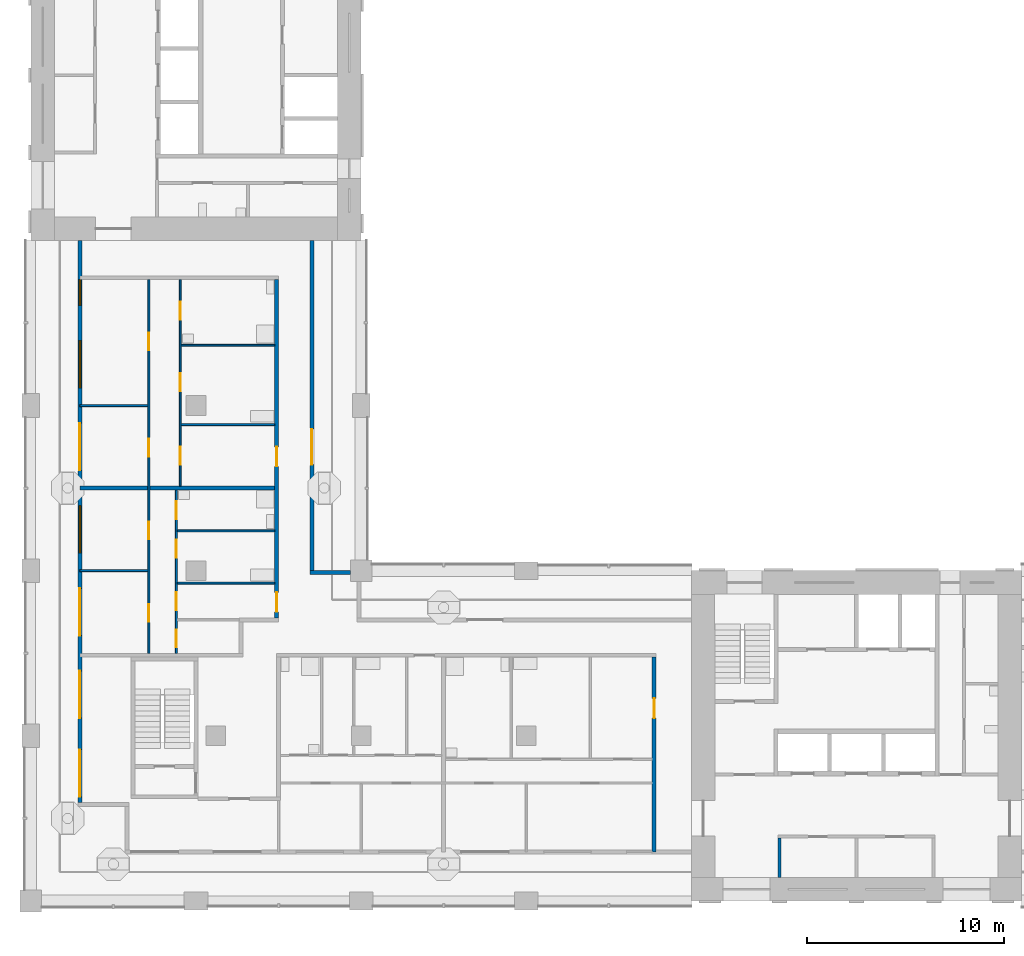
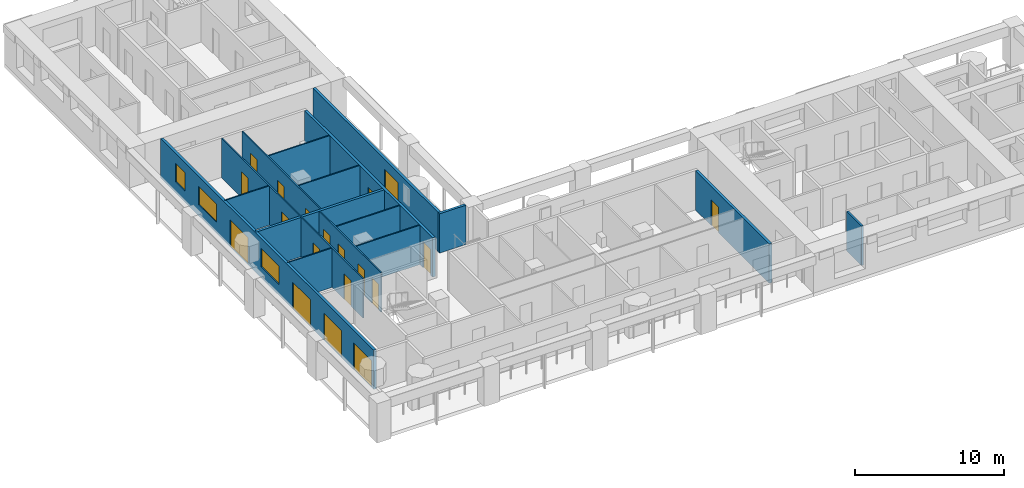
# One storey, part 3 of 13: 19 doors, 16 walls, 3 windows, 22 openings.
"""IFC4 building model written with IfcOpenShell, lengths in metres."""

from ifc_helpers import new_model, si_unit, direction, frame, frame_2d, origin, place, context, subcontext, project, spatial, rectangle, extrude, material, layer, layer_set, type_object, element, fill, save


model = new_model("IFC4")

# Units and contexts
model_context = context("Model", 3, precision=1e-05, world=origin(), true_north=direction((0.0, 1.0)))
body_context = subcontext(model_context, "Body", "Model", "MODEL_VIEW")
ifc_project = project(units=[si_unit("LENGTHUNIT", "METRE"), si_unit("AREAUNIT", "SQUARE_METRE"), si_unit("VOLUMEUNIT", "CUBIC_METRE"), si_unit("PLANEANGLEUNIT", "RADIAN"), si_unit("MASSUNIT", "GRAM", prefix="KILO")], contexts=[model_context])

# Site, building, storey
site_placement = place(None, origin())
site = spatial("IfcSite", under=ifc_project, at=site_placement, CompositionType="ELEMENT")
building_placement = place(site_placement, origin())
building = spatial("IfcBuilding", under=site, at=building_placement, Name="Vermilion Gate Residences", CompositionType="ELEMENT")
storey_placement = place(building_placement, frame((0.0, 0.0, 179.199951171875)))
storey = spatial("IfcBuildingStorey", under=building, at=storey_placement, Name="L46", CompositionType="ELEMENT", Elevation=179.199951171875)

# Wall
ifc_material_1 = material(Name="Masonry blockwork", Category="masonry")
ifc_layer_1 = layer(ifc_material_1, 0.14990234375)
ifc_layer_set_1 = layer_set([ifc_layer_1], Name="BLOCKWORK PARTITION 150 EI 120")
wall_type_1 = type_object("IfcWallType", Name="BLOCKWORK PARTITION 150 EI 120", PredefinedType="PARTITIONING", material=ifc_layer_set_1)
wall_1_placement = place(storey_placement, frame((46.47509765625, 9.60009765625, 0.0), z_axis=(0.0, 0.0, 1.0), x_axis=(0.0, 1.0, 0.0)))
element("IfcWall", 1, at=wall_1_placement, inside=storey, type_object=wall_type_1, Name="Core room partition A46-RW-W", PredefinedType="PARTITIONING", context=body_context, shape_type="SweptSolid", body=[
    extrude(rectangle(XDim=2.0, YDim=0.14990234375, at=frame_2d((1.0, 0.0))), origin(), (0.0, 0.0, 1.0), 3.219970703125),
])

# Wall, openings, doors, windows
ifc_material_2 = material(Name="Insulated steel stud wall with terracotta rainscreen", Category="masonry")
ifc_layer_2 = layer(ifc_material_2, 0.199951171875)
ifc_layer_set_2 = layer_set([ifc_layer_2], Name="EXTERNAL WALL 200 TERRACOTTA RAINSCREEN")
wall_type_2 = type_object("IfcWallType", Name="EXTERNAL WALL 200 TERRACOTTA RAINSCREEN", PredefinedType="SOLIDWALL", material=ifc_layer_set_2)
wall_2_placement = place(storey_placement, frame((10.89990234375, 42.0, 0.0), z_axis=(0.0, 0.0, 1.0), x_axis=(0.0, -1.0, 0.0)))
wall_2 = element("IfcWall", 2, at=wall_2_placement, inside=storey, type_object=wall_type_2, Name="External wall", PredefinedType="SOLIDWALL", context=body_context, shape_type="SweptSolid", body=[
    extrude(rectangle(XDim=28.60009765625, YDim=0.199951171875, at=frame_2d((14.300048828125, 0.0))), origin(), (0.0, 0.0, 1.0), 3.219970703125),
])
opening_1_placement = place(wall_2_placement, frame((25.89990234375, 0.0, 0.0)))
opening_1 = element("IfcOpeningElement", 3, at=opening_1_placement, cuts=wall_2, Name="Opening DE46001", PredefinedType="OPENING", context=body_context, shape_type="SweptSolid", body=[
    extrude(rectangle(XDim=2.39990234375, YDim=2.199951171875, at=frame_2d((1.199951171875, 1.10009765625))), frame((0.0, 0.10986328125, 0.0), z_axis=(0.0, -1.0, 0.0), x_axis=(1.0, 0.0, 0.0)), (0.0, 0.0, 1.0), 0.219970703125),
])
opening_2_placement = place(wall_2_placement, frame((21.89990234375, 0.0, 0.0)))
opening_2 = element("IfcOpeningElement", 4, at=opening_2_placement, cuts=wall_2, Name="Opening DE46002", PredefinedType="OPENING", context=body_context, shape_type="SweptSolid", body=[
    extrude(rectangle(XDim=2.39990234375, YDim=2.199951171875, at=frame_2d((1.199951171875, 1.10009765625))), frame((0.0, 0.10986328125, 0.0), z_axis=(0.0, -1.0, 0.0), x_axis=(1.0, 0.0, 0.0)), (0.0, 0.0, 1.0), 0.219970703125),
])
opening_3_placement = place(wall_2_placement, frame((17.699951171875, 0.0, 0.0)))
opening_3 = element("IfcOpeningElement", 5, at=opening_3_placement, cuts=wall_2, Name="Opening DE46003", PredefinedType="OPENING", context=body_context, shape_type="SweptSolid", body=[
    extrude(rectangle(XDim=2.39990234375, YDim=2.199951171875, at=frame_2d((1.199951171875, 1.10009765625))), frame((0.0, 0.10986328125, 0.0), z_axis=(0.0, -1.0, 0.0), x_axis=(1.0, 0.0, 0.0)), (0.0, 0.0, 1.0), 0.219970703125),
])
opening_4_placement = place(wall_2_placement, frame((13.5, 0.0, 0.89990234375)))
opening_4 = element("IfcOpeningElement", 6, at=opening_4_placement, cuts=wall_2, Name="Opening WE46004", PredefinedType="OPENING", context=body_context, shape_type="SweptSolid", body=[
    extrude(rectangle(XDim=2.39990234375, YDim=1.5, at=frame_2d((1.199951171875, 0.75))), frame((0.0, 0.10986328125, 0.0), z_axis=(0.0, -1.0, 0.0), x_axis=(1.0, 0.0, 0.0)), (0.0, 0.0, 1.0), 0.219970703125),
])
opening_5_placement = place(wall_2_placement, frame((9.300048828125, 0.0, 0.0)))
opening_5 = element("IfcOpeningElement", 7, at=opening_5_placement, cuts=wall_2, Name="Opening DE46005", PredefinedType="OPENING", context=body_context, shape_type="SweptSolid", body=[
    extrude(rectangle(XDim=2.39990234375, YDim=2.199951171875, at=frame_2d((1.199951171875, 1.10009765625))), frame((0.0, 0.10986328125, 0.0), z_axis=(0.0, -1.0, 0.0), x_axis=(1.0, 0.0, 0.0)), (0.0, 0.0, 1.0), 0.219970703125),
])
opening_6_placement = place(wall_2_placement, frame((5.10009765625, 0.0, 0.89990234375)))
opening_6 = element("IfcOpeningElement", 8, at=opening_6_placement, cuts=wall_2, Name="Opening WE46006", PredefinedType="OPENING", context=body_context, shape_type="SweptSolid", body=[
    extrude(rectangle(XDim=2.39990234375, YDim=1.5, at=frame_2d((1.199951171875, 0.75))), frame((0.0, 0.10986328125, 0.0), z_axis=(0.0, -1.0, 0.0), x_axis=(1.0, 0.0, 0.0)), (0.0, 0.0, 1.0), 0.219970703125),
])
opening_7_placement = place(wall_2_placement, frame((2.0, 0.0, 0.89990234375)))
opening_7 = element("IfcOpeningElement", 9, at=opening_7_placement, cuts=wall_2, Name="Opening WE46007", PredefinedType="OPENING", context=body_context, shape_type="SweptSolid", body=[
    extrude(rectangle(XDim=1.300048828125, YDim=1.5, at=frame_2d((0.64990234375, 0.75))), frame((0.0, 0.10986328125, 0.0), z_axis=(0.0, -1.0, 0.0), x_axis=(1.0, 0.0, 0.0)), (0.0, 0.0, 1.0), 0.219970703125),
])
ifc_material_3 = material(Name="Aluminium and clear glass", Category="aluminium")
door_type_1 = type_object("IfcDoorType", Name="SLIDING GLAZED DOOR 2400 X 2200", OperationType="DOUBLE_DOOR_SLIDING", PredefinedType="DOOR", material=ifc_material_3)
door_1_placement = place(opening_1_placement, origin())
door_1 = element("IfcDoor", 10, at=door_1_placement, inside=storey, type_object=door_type_1, Name="Loggia sliding door", OperationType="DOUBLE_DOOR_SLIDING", OverallHeight=2.199951171875, OverallWidth=2.39990234375, PredefinedType="DOOR", context=body_context, shape_type="SweptSolid", body=[
    extrude(rectangle(XDim=2.39990234375, YDim=2.199951171875, at=frame_2d((1.199951171875, 1.10009765625))), frame((0.0, 0.02490234375, 0.0), z_axis=(0.0, -1.0, 0.0), x_axis=(1.0, 0.0, 0.0)), (0.0, 0.0, 1.0), 0.050048828125),
])
fill(opening_1, door_1)
door_2_placement = place(opening_2_placement, origin())
door_2 = element("IfcDoor", 11, at=door_2_placement, inside=storey, type_object=door_type_1, Name="Loggia sliding door", OperationType="DOUBLE_DOOR_SLIDING", OverallHeight=2.199951171875, OverallWidth=2.39990234375, PredefinedType="DOOR", context=body_context, shape_type="SweptSolid", body=[
    extrude(rectangle(XDim=2.39990234375, YDim=2.199951171875, at=frame_2d((1.199951171875, 1.10009765625))), frame((0.0, 0.02490234375, 0.0), z_axis=(0.0, -1.0, 0.0), x_axis=(1.0, 0.0, 0.0)), (0.0, 0.0, 1.0), 0.050048828125),
])
fill(opening_2, door_2)
door_3_placement = place(opening_3_placement, origin())
door_3 = element("IfcDoor", 12, at=door_3_placement, inside=storey, type_object=door_type_1, Name="Loggia sliding door", OperationType="DOUBLE_DOOR_SLIDING", OverallHeight=2.199951171875, OverallWidth=2.39990234375, PredefinedType="DOOR", context=body_context, shape_type="SweptSolid", body=[
    extrude(rectangle(XDim=2.39990234375, YDim=2.199951171875, at=frame_2d((1.199951171875, 1.10009765625))), frame((0.0, 0.02490234375, 0.0), z_axis=(0.0, -1.0, 0.0), x_axis=(1.0, 0.0, 0.0)), (0.0, 0.0, 1.0), 0.050048828125),
])
fill(opening_3, door_3)
door_4_placement = place(opening_5_placement, origin())
door_4 = element("IfcDoor", 13, at=door_4_placement, inside=storey, type_object=door_type_1, Name="Loggia sliding door", OperationType="DOUBLE_DOOR_SLIDING", OverallHeight=2.199951171875, OverallWidth=2.39990234375, PredefinedType="DOOR", context=body_context, shape_type="SweptSolid", body=[
    extrude(rectangle(XDim=2.39990234375, YDim=2.199951171875, at=frame_2d((1.199951171875, 1.10009765625))), frame((0.0, 0.02490234375, 0.0), z_axis=(0.0, -1.0, 0.0), x_axis=(1.0, 0.0, 0.0)), (0.0, 0.0, 1.0), 0.050048828125),
])
fill(opening_5, door_4)
ifc_material_4 = material(Name="Aluminium and clear glass", Category="aluminium")
window_type_1 = type_object("IfcWindowType", Name="WINDOW 1300 X 1500", PartitioningType="SINGLE_PANEL", PredefinedType="WINDOW", material=ifc_material_4)
window_1_placement = place(opening_7_placement, origin())
window_1 = element("IfcWindow", 14, at=window_1_placement, inside=storey, type_object=window_type_1, Name="Window", OverallHeight=1.5, OverallWidth=1.300048828125, PartitioningType="SINGLE_PANEL", PredefinedType="WINDOW", context=body_context, shape_type="SweptSolid", body=[
    extrude(rectangle(XDim=1.300048828125, YDim=1.5, at=frame_2d((0.64990234375, 0.75))), frame((0.0, 0.030029296875, 0.0), z_axis=(0.0, -1.0, 0.0), x_axis=(1.0, 0.0, 0.0)), (0.0, 0.0, 1.0), 0.06005859375),
])
fill(opening_7, window_1)
ifc_material_5 = material(Name="Aluminium and clear glass", Category="aluminium")
window_type_2 = type_object("IfcWindowType", Name="WINDOW 2400 X 1500", PartitioningType="SINGLE_PANEL", PredefinedType="WINDOW", material=ifc_material_5)
window_2_placement = place(opening_4_placement, origin())
window_2 = element("IfcWindow", 15, at=window_2_placement, inside=storey, type_object=window_type_2, Name="Window", OverallHeight=1.5, OverallWidth=2.39990234375, PartitioningType="SINGLE_PANEL", PredefinedType="WINDOW", context=body_context, shape_type="SweptSolid", body=[
    extrude(rectangle(XDim=2.39990234375, YDim=1.5, at=frame_2d((1.199951171875, 0.75))), frame((0.0, 0.030029296875, 0.0), z_axis=(0.0, -1.0, 0.0), x_axis=(1.0, 0.0, 0.0)), (0.0, 0.0, 1.0), 0.06005859375),
])
fill(opening_4, window_2)
window_3_placement = place(opening_6_placement, origin())
window_3 = element("IfcWindow", 16, at=window_3_placement, inside=storey, type_object=window_type_2, Name="Window", OverallHeight=1.5, OverallWidth=2.39990234375, PartitioningType="SINGLE_PANEL", PredefinedType="WINDOW", context=body_context, shape_type="SweptSolid", body=[
    extrude(rectangle(XDim=2.39990234375, YDim=1.5, at=frame_2d((1.199951171875, 0.75))), frame((0.0, 0.030029296875, 0.0), z_axis=(0.0, -1.0, 0.0), x_axis=(1.0, 0.0, 0.0)), (0.0, 0.0, 1.0), 0.06005859375),
])
fill(opening_6, window_3)

# Wall
wall_3_placement = place(storey_placement, frame((24.64990234375, 25.10009765625, 0.0), z_axis=(0.0, 0.0, 1.0), x_axis=(-1.0, 0.0, 0.0)))
element("IfcWall", 17, at=wall_3_placement, inside=storey, type_object=wall_type_2, Name="External wall", PredefinedType="SOLIDWALL", context=body_context, shape_type="SweptSolid", body=[
    extrude(rectangle(XDim=2.0498046875, YDim=0.199951171875, at=frame_2d((1.02490234375, 0.0))), origin(), (0.0, 0.0, 1.0), 3.219970703125),
])

# Wall, opening, door
wall_4_placement = place(storey_placement, frame((22.699951171875, 25.199951171875, 0.0), z_axis=(0.0, 0.0, 1.0), x_axis=(0.0, 1.0, 0.0)))
wall_4 = element("IfcWall", 18, at=wall_4_placement, inside=storey, type_object=wall_type_2, Name="External wall", PredefinedType="SOLIDWALL", context=body_context, shape_type="SweptSolid", body=[
    extrude(rectangle(XDim=16.800048828125, YDim=0.199951171875, at=frame_2d((8.39990234375, 0.0))), origin(), (0.0, 0.0, 1.0), 3.219970703125),
])
opening_8_placement = place(wall_4_placement, frame((5.39990234375, 0.0, 0.0)))
opening_8 = element("IfcOpeningElement", 19, at=opening_8_placement, cuts=wall_4, Name="Opening DE46021", PredefinedType="OPENING", context=body_context, shape_type="SweptSolid", body=[
    extrude(rectangle(XDim=1.800048828125, YDim=2.39990234375, at=frame_2d((0.89990234375, 1.199951171875))), frame((0.0, 0.10986328125, 0.0), z_axis=(0.0, -1.0, 0.0), x_axis=(1.0, 0.0, 0.0)), (0.0, 0.0, 1.0), 0.219970703125),
])
ifc_material_6 = material(Name="Aluminium and clear glass", Category="aluminium")
door_type_2 = type_object("IfcDoorType", Name="GLAZED EXTERNAL DOOR 1800 X 2400", OperationType="DOUBLE_DOOR_SINGLE_SWING", PredefinedType="DOOR", material=ifc_material_6)
door_5_placement = place(opening_8_placement, frame((1.800048828125, 0.0, 0.0), z_axis=(0.0, 0.0, 1.0), x_axis=(-1.0, 0.0, 0.0)))
door_5 = element("IfcDoor", 20, at=door_5_placement, inside=storey, type_object=door_type_2, Name="Gallery door", OperationType="DOUBLE_DOOR_SINGLE_SWING", OverallHeight=2.39990234375, OverallWidth=1.800048828125, PredefinedType="DOOR", context=body_context, shape_type="SweptSolid", body=[
    extrude(rectangle(XDim=1.800048828125, YDim=2.39990234375, at=frame_2d((0.89990234375, 1.199951171875))), frame((0.0, 0.02490234375, 0.0), z_axis=(0.0, -1.0, 0.0), x_axis=(1.0, 0.0, 0.0)), (0.0, 0.0, 1.0), 0.050048828125),
])
fill(opening_8, door_5)

# Walls
ifc_material_7 = material(Name="Plasterboard on steel studs", Category="steel")
ifc_layer_3 = layer(ifc_material_7, 0.10009765625)
ifc_layer_set_3 = layer_set([ifc_layer_3], Name="PARTITION 100")
wall_type_3 = type_object("IfcWallType", Name="PARTITION 100", PredefinedType="PARTITIONING", material=ifc_layer_set_3)
wall_5_placement = place(storey_placement, frame((15.85009765625, 24.56298828125, 0.0), z_axis=(0.0, 0.0, 1.0), x_axis=(1.0, 0.0, 0.0)))
element("IfcWall", 21, at=wall_5_placement, inside=storey, type_object=wall_type_3, Name="Partition", PredefinedType="PARTITIONING", context=body_context, shape_type="SweptSolid", body=[
    extrude(rectangle(XDim=4.949951171875, YDim=0.10009765625, at=frame_2d((2.47509765625, 0.0))), origin(), (0.0, 0.0, 1.0), 3.219970703125),
])
wall_6_placement = place(storey_placement, frame((10.89990234375, 25.199951171875, 0.0), z_axis=(0.0, 0.0, 1.0), x_axis=(1.0, 0.0, 0.0)))
element("IfcWall", 22, at=wall_6_placement, inside=storey, type_object=wall_type_3, Name="Partition", PredefinedType="PARTITIONING", context=body_context, shape_type="SweptSolid", body=[
    extrude(rectangle(XDim=3.4501953125, YDim=0.10009765625, at=frame_2d((1.72509765625, 0.0))), origin(), (0.0, 0.0, 1.0), 3.219970703125),
])
wall_7_placement = place(storey_placement, frame((15.85009765625, 27.22509765625, 0.0), z_axis=(0.0, 0.0, 1.0), x_axis=(1.0, 0.0, 0.0)))
element("IfcWall", 23, at=wall_7_placement, inside=storey, type_object=wall_type_3, Name="Partition", PredefinedType="PARTITIONING", context=body_context, shape_type="SweptSolid", body=[
    extrude(rectangle(XDim=4.949951171875, YDim=0.10009765625, at=frame_2d((2.47509765625, 0.0))), origin(), (0.0, 0.0, 1.0), 3.219970703125),
])
wall_8_placement = place(storey_placement, frame((16.050048828125, 32.633056640625, 0.0), z_axis=(0.0, 0.0, 1.0), x_axis=(1.0, 0.0, 0.0)))
element("IfcWall", 24, at=wall_8_placement, inside=storey, type_object=wall_type_3, Name="Partition", PredefinedType="PARTITIONING", context=body_context, shape_type="SweptSolid", body=[
    extrude(rectangle(XDim=4.75, YDim=0.10009765625, at=frame_2d((2.375, 0.0))), origin(), (0.0, 0.0, 1.0), 3.219970703125),
])
wall_9_placement = place(storey_placement, frame((10.89990234375, 33.60009765625, 0.0), z_axis=(0.0, 0.0, 1.0), x_axis=(1.0, 0.0, 0.0)))
element("IfcWall", 25, at=wall_9_placement, inside=storey, type_object=wall_type_3, Name="Partition", PredefinedType="PARTITIONING", context=body_context, shape_type="SweptSolid", body=[
    extrude(rectangle(XDim=3.4501953125, YDim=0.10009765625, at=frame_2d((1.72509765625, 0.0))), origin(), (0.0, 0.0, 1.0), 3.219970703125),
])
wall_10_placement = place(storey_placement, frame((16.050048828125, 36.6669921875, 0.0), z_axis=(0.0, 0.0, 1.0), x_axis=(1.0, 0.0, 0.0)))
element("IfcWall", 26, at=wall_10_placement, inside=storey, type_object=wall_type_3, Name="Partition", PredefinedType="PARTITIONING", context=body_context, shape_type="SweptSolid", body=[
    extrude(rectangle(XDim=4.75, YDim=0.10009765625, at=frame_2d((2.375, 0.0))), origin(), (0.0, 0.0, 1.0), 3.219970703125),
])

# Wall, openings, doors
wall_11_placement = place(storey_placement, frame((14.39990234375, 21.0, 0.0), z_axis=(0.0, 0.0, 1.0), x_axis=(0.0, 1.0, 0.0)))
wall_11 = element("IfcWall", 27, at=wall_11_placement, inside=storey, type_object=wall_type_3, Name="Partition", PredefinedType="PARTITIONING", context=body_context, shape_type="SweptSolid", body=[
    extrude(rectangle(XDim=19.0, YDim=0.10009765625, at=frame_2d((9.5, 0.0))), origin(), (0.0, 0.0, 1.0), 3.219970703125),
])
opening_9_placement = place(wall_11_placement, frame((1.60009765625, 0.0, 0.0)))
opening_9 = element("IfcOpeningElement", 28, at=opening_9_placement, cuts=wall_11, Name="Opening DA46014", PredefinedType="OPENING", context=body_context, shape_type="SweptSolid", body=[
    extrude(rectangle(XDim=0.89990234375, YDim=2.10009765625, at=frame_2d((0.449951171875, 1.050048828125))), frame((0.0, 0.06005859375, 0.0), z_axis=(0.0, -1.0, 0.0), x_axis=(1.0, 0.0, 0.0)), (0.0, 0.0, 1.0), 0.1201171875),
])
opening_10_placement = place(wall_11_placement, frame((5.800048828125, 0.0, 0.0)))
opening_10 = element("IfcOpeningElement", 29, at=opening_10_placement, cuts=wall_11, Name="Opening DA46015", PredefinedType="OPENING", context=body_context, shape_type="SweptSolid", body=[
    extrude(rectangle(XDim=0.89990234375, YDim=2.10009765625, at=frame_2d((0.449951171875, 1.050048828125))), frame((0.0, 0.06005859375, 0.0), z_axis=(0.0, -1.0, 0.0), x_axis=(1.0, 0.0, 0.0)), (0.0, 0.0, 1.0), 0.1201171875),
])
opening_11_placement = place(wall_11_placement, frame((10.0, 0.0, 0.0)))
opening_11 = element("IfcOpeningElement", 30, at=opening_11_placement, cuts=wall_11, Name="Opening DA46016", PredefinedType="OPENING", context=body_context, shape_type="SweptSolid", body=[
    extrude(rectangle(XDim=0.89990234375, YDim=2.10009765625, at=frame_2d((0.449951171875, 1.050048828125))), frame((0.0, 0.06005859375, 0.0), z_axis=(0.0, -1.0, 0.0), x_axis=(1.0, 0.0, 0.0)), (0.0, 0.0, 1.0), 0.1201171875),
])
opening_12_placement = place(wall_11_placement, frame((15.39990234375, 0.0, 0.0)))
opening_12 = element("IfcOpeningElement", 31, at=opening_12_placement, cuts=wall_11, Name="Opening DA46017", PredefinedType="OPENING", context=body_context, shape_type="SweptSolid", body=[
    extrude(rectangle(XDim=0.89990234375, YDim=2.10009765625, at=frame_2d((0.449951171875, 1.050048828125))), frame((0.0, 0.06005859375, 0.0), z_axis=(0.0, -1.0, 0.0), x_axis=(1.0, 0.0, 0.0)), (0.0, 0.0, 1.0), 0.1201171875),
])
ifc_material_8 = material(Name="Timber", Category="wood")
door_type_3 = type_object("IfcDoorType", Name="INTERIOR DOOR 900 X 2100", OperationType="SINGLE_SWING_LEFT", PredefinedType="DOOR", material=ifc_material_8)
door_6_placement = place(opening_9_placement, origin())
door_6 = element("IfcDoor", 32, at=door_6_placement, inside=storey, type_object=door_type_3, Name="Interior door", OperationType="SINGLE_SWING_LEFT", OverallHeight=2.10009765625, OverallWidth=0.89990234375, PredefinedType="DOOR", context=body_context, shape_type="SweptSolid", body=[
    extrude(rectangle(XDim=0.89990234375, YDim=2.10009765625, at=frame_2d((0.449951171875, 1.050048828125))), frame((0.0, 0.02490234375, 0.0), z_axis=(0.0, -1.0, 0.0), x_axis=(1.0, 0.0, 0.0)), (0.0, 0.0, 1.0), 0.050048828125),
])
fill(opening_9, door_6)
door_7_placement = place(opening_10_placement, origin())
door_7 = element("IfcDoor", 33, at=door_7_placement, inside=storey, type_object=door_type_3, Name="Interior door", OperationType="SINGLE_SWING_LEFT", OverallHeight=2.10009765625, OverallWidth=0.89990234375, PredefinedType="DOOR", context=body_context, shape_type="SweptSolid", body=[
    extrude(rectangle(XDim=0.89990234375, YDim=2.10009765625, at=frame_2d((0.449951171875, 1.050048828125))), frame((0.0, 0.02490234375, 0.0), z_axis=(0.0, -1.0, 0.0), x_axis=(1.0, 0.0, 0.0)), (0.0, 0.0, 1.0), 0.050048828125),
])
fill(opening_10, door_7)
door_8_placement = place(opening_11_placement, origin())
door_8 = element("IfcDoor", 34, at=door_8_placement, inside=storey, type_object=door_type_3, Name="Interior door", OperationType="SINGLE_SWING_LEFT", OverallHeight=2.10009765625, OverallWidth=0.89990234375, PredefinedType="DOOR", context=body_context, shape_type="SweptSolid", body=[
    extrude(rectangle(XDim=0.89990234375, YDim=2.10009765625, at=frame_2d((0.449951171875, 1.050048828125))), frame((0.0, 0.02490234375, 0.0), z_axis=(0.0, -1.0, 0.0), x_axis=(1.0, 0.0, 0.0)), (0.0, 0.0, 1.0), 0.050048828125),
])
fill(opening_11, door_8)
door_9_placement = place(opening_12_placement, origin())
door_9 = element("IfcDoor", 35, at=door_9_placement, inside=storey, type_object=door_type_3, Name="Interior door", OperationType="SINGLE_SWING_RIGHT", OverallHeight=2.10009765625, OverallWidth=0.89990234375, PredefinedType="DOOR", context=body_context, shape_type="SweptSolid", body=[
    extrude(rectangle(XDim=0.89990234375, YDim=2.10009765625, at=frame_2d((0.449951171875, 1.050048828125))), frame((0.0, 0.02490234375, 0.0), z_axis=(0.0, -1.0, 0.0), x_axis=(1.0, 0.0, 0.0)), (0.0, 0.0, 1.0), 0.050048828125),
])
fill(opening_12, door_9)

wall_12_placement = place(storey_placement, frame((15.800048828125, 21.0, 0.0), z_axis=(0.0, 0.0, 1.0), x_axis=(0.0, 1.0, 0.0)))
wall_12 = element("IfcWall", 36, at=wall_12_placement, inside=storey, type_object=wall_type_3, Name="Partition", PredefinedType="PARTITIONING", context=body_context, shape_type="SweptSolid", body=[
    extrude(rectangle(XDim=8.300048828125, YDim=0.10009765625, at=frame_2d((4.14990234375, 0.0))), origin(), (0.0, 0.0, 1.0), 3.219970703125),
])
opening_13_placement = place(wall_12_placement, frame((2.199951171875, 0.0, 0.0)))
opening_13 = element("IfcOpeningElement", 37, at=opening_13_placement, cuts=wall_12, Name="Opening DA46018", PredefinedType="OPENING", context=body_context, shape_type="SweptSolid", body=[
    extrude(rectangle(XDim=0.89990234375, YDim=2.10009765625, at=frame_2d((0.449951171875, 1.050048828125))), frame((0.0, 0.06005859375, 0.0), z_axis=(0.0, -1.0, 0.0), x_axis=(1.0, 0.0, 0.0)), (0.0, 0.0, 1.0), 0.1201171875),
])
opening_14_placement = place(wall_12_placement, frame((0.300048828125, 0.0, 0.0)))
opening_14 = element("IfcOpeningElement", 38, at=opening_14_placement, cuts=wall_12, Name="Opening DA46019", PredefinedType="OPENING", context=body_context, shape_type="SweptSolid", body=[
    extrude(rectangle(XDim=0.89990234375, YDim=2.10009765625, at=frame_2d((0.449951171875, 1.050048828125))), frame((0.0, 0.06005859375, 0.0), z_axis=(0.0, -1.0, 0.0), x_axis=(1.0, 0.0, 0.0)), (0.0, 0.0, 1.0), 0.1201171875),
])
opening_15_placement = place(wall_12_placement, frame((4.863037109375, 0.0, 0.0)))
opening_15 = element("IfcOpeningElement", 39, at=opening_15_placement, cuts=wall_12, Name="Opening DA46020", PredefinedType="OPENING", context=body_context, shape_type="SweptSolid", body=[
    extrude(rectangle(XDim=0.89990234375, YDim=2.10009765625, at=frame_2d((0.449951171875, 1.050048828125))), frame((0.0, 0.06005859375, 0.0), z_axis=(0.0, -1.0, 0.0), x_axis=(1.0, 0.0, 0.0)), (0.0, 0.0, 1.0), 0.1201171875),
])
opening_16_placement = place(wall_12_placement, frame((6.824951171875, 0.0, 0.0)))
opening_16 = element("IfcOpeningElement", 40, at=opening_16_placement, cuts=wall_12, Name="Opening DA46021", PredefinedType="OPENING", context=body_context, shape_type="SweptSolid", body=[
    extrude(rectangle(XDim=0.89990234375, YDim=2.10009765625, at=frame_2d((0.449951171875, 1.050048828125))), frame((0.0, 0.06005859375, 0.0), z_axis=(0.0, -1.0, 0.0), x_axis=(1.0, 0.0, 0.0)), (0.0, 0.0, 1.0), 0.1201171875),
])
door_10_placement = place(opening_13_placement, frame((0.89990234375, 0.0, 0.0), z_axis=(0.0, 0.0, 1.0), x_axis=(-1.0, 0.0, 0.0)))
door_10 = element("IfcDoor", 41, at=door_10_placement, inside=storey, type_object=door_type_3, Name="Interior door", OperationType="SINGLE_SWING_LEFT", OverallHeight=2.10009765625, OverallWidth=0.89990234375, PredefinedType="DOOR", context=body_context, shape_type="SweptSolid", body=[
    extrude(rectangle(XDim=0.89990234375, YDim=2.10009765625, at=frame_2d((0.449951171875, 1.050048828125))), frame((0.0, 0.02490234375, 0.0), z_axis=(0.0, -1.0, 0.0), x_axis=(1.0, 0.0, 0.0)), (0.0, 0.0, 1.0), 0.050048828125),
])
fill(opening_13, door_10)
door_11_placement = place(opening_14_placement, frame((0.89990234375, 0.0, 0.0), z_axis=(0.0, 0.0, 1.0), x_axis=(-1.0, 0.0, 0.0)))
door_11 = element("IfcDoor", 42, at=door_11_placement, inside=storey, type_object=door_type_3, Name="Interior door", OperationType="SINGLE_SWING_RIGHT", OverallHeight=2.10009765625, OverallWidth=0.89990234375, PredefinedType="DOOR", context=body_context, shape_type="SweptSolid", body=[
    extrude(rectangle(XDim=0.89990234375, YDim=2.10009765625, at=frame_2d((0.449951171875, 1.050048828125))), frame((0.0, 0.02490234375, 0.0), z_axis=(0.0, -1.0, 0.0), x_axis=(1.0, 0.0, 0.0)), (0.0, 0.0, 1.0), 0.050048828125),
])
fill(opening_14, door_11)
door_12_placement = place(opening_15_placement, frame((0.89990234375, 0.0, 0.0), z_axis=(0.0, 0.0, 1.0), x_axis=(-1.0, 0.0, 0.0)))
door_12 = element("IfcDoor", 43, at=door_12_placement, inside=storey, type_object=door_type_3, Name="Interior door", OperationType="SINGLE_SWING_LEFT", OverallHeight=2.10009765625, OverallWidth=0.89990234375, PredefinedType="DOOR", context=body_context, shape_type="SweptSolid", body=[
    extrude(rectangle(XDim=0.89990234375, YDim=2.10009765625, at=frame_2d((0.449951171875, 1.050048828125))), frame((0.0, 0.02490234375, 0.0), z_axis=(0.0, -1.0, 0.0), x_axis=(1.0, 0.0, 0.0)), (0.0, 0.0, 1.0), 0.050048828125),
])
fill(opening_15, door_12)
door_13_placement = place(opening_16_placement, frame((0.89990234375, 0.0, 0.0), z_axis=(0.0, 0.0, 1.0), x_axis=(-1.0, 0.0, 0.0)))
door_13 = element("IfcDoor", 44, at=door_13_placement, inside=storey, type_object=door_type_3, Name="Interior door", OperationType="SINGLE_SWING_LEFT", OverallHeight=2.10009765625, OverallWidth=0.89990234375, PredefinedType="DOOR", context=body_context, shape_type="SweptSolid", body=[
    extrude(rectangle(XDim=0.89990234375, YDim=2.10009765625, at=frame_2d((0.449951171875, 1.050048828125))), frame((0.0, 0.02490234375, 0.0), z_axis=(0.0, -1.0, 0.0), x_axis=(1.0, 0.0, 0.0)), (0.0, 0.0, 1.0), 0.050048828125),
])
fill(opening_16, door_13)

wall_13_placement = place(storey_placement, frame((16.0, 29.5, 0.0), z_axis=(0.0, 0.0, 1.0), x_axis=(0.0, 1.0, 0.0)))
wall_13 = element("IfcWall", 45, at=wall_13_placement, inside=storey, type_object=wall_type_3, Name="Partition", PredefinedType="PARTITIONING", context=body_context, shape_type="SweptSolid", body=[
    extrude(rectangle(XDim=10.5, YDim=0.10009765625, at=frame_2d((5.25, 0.0))), origin(), (0.0, 0.0, 1.0), 3.219970703125),
])
opening_17_placement = place(wall_13_placement, frame((1.10009765625, 0.0, 0.0)))
opening_17 = element("IfcOpeningElement", 46, at=opening_17_placement, cuts=wall_13, Name="Opening DA46022", PredefinedType="OPENING", context=body_context, shape_type="SweptSolid", body=[
    extrude(rectangle(XDim=0.89990234375, YDim=2.10009765625, at=frame_2d((0.449951171875, 1.050048828125))), frame((0.0, 0.06005859375, 0.0), z_axis=(0.0, -1.0, 0.0), x_axis=(1.0, 0.0, 0.0)), (0.0, 0.0, 1.0), 0.1201171875),
])
opening_18_placement = place(wall_13_placement, frame((4.8330078125, 0.0, 0.0)))
opening_18 = element("IfcOpeningElement", 47, at=opening_18_placement, cuts=wall_13, Name="Opening DA46023", PredefinedType="OPENING", context=body_context, shape_type="SweptSolid", body=[
    extrude(rectangle(XDim=0.89990234375, YDim=2.10009765625, at=frame_2d((0.449951171875, 1.050048828125))), frame((0.0, 0.06005859375, 0.0), z_axis=(0.0, -1.0, 0.0), x_axis=(1.0, 0.0, 0.0)), (0.0, 0.0, 1.0), 0.1201171875),
])
opening_19_placement = place(wall_13_placement, frame((8.467041015625, 0.0, 0.0)))
opening_19 = element("IfcOpeningElement", 48, at=opening_19_placement, cuts=wall_13, Name="Opening DA46024", PredefinedType="OPENING", context=body_context, shape_type="SweptSolid", body=[
    extrude(rectangle(XDim=0.89990234375, YDim=2.10009765625, at=frame_2d((0.449951171875, 1.050048828125))), frame((0.0, 0.06005859375, 0.0), z_axis=(0.0, -1.0, 0.0), x_axis=(1.0, 0.0, 0.0)), (0.0, 0.0, 1.0), 0.1201171875),
])
door_14_placement = place(opening_17_placement, frame((0.89990234375, 0.0, 0.0), z_axis=(0.0, 0.0, 1.0), x_axis=(-1.0, 0.0, 0.0)))
door_14 = element("IfcDoor", 49, at=door_14_placement, inside=storey, type_object=door_type_3, Name="Interior door", OperationType="SINGLE_SWING_LEFT", OverallHeight=2.10009765625, OverallWidth=0.89990234375, PredefinedType="DOOR", context=body_context, shape_type="SweptSolid", body=[
    extrude(rectangle(XDim=0.89990234375, YDim=2.10009765625, at=frame_2d((0.449951171875, 1.050048828125))), frame((0.0, 0.02490234375, 0.0), z_axis=(0.0, -1.0, 0.0), x_axis=(1.0, 0.0, 0.0)), (0.0, 0.0, 1.0), 0.050048828125),
])
fill(opening_17, door_14)
door_15_placement = place(opening_18_placement, frame((0.89990234375, 0.0, 0.0), z_axis=(0.0, 0.0, 1.0), x_axis=(-1.0, 0.0, 0.0)))
door_15 = element("IfcDoor", 50, at=door_15_placement, inside=storey, type_object=door_type_3, Name="Interior door", OperationType="SINGLE_SWING_LEFT", OverallHeight=2.10009765625, OverallWidth=0.89990234375, PredefinedType="DOOR", context=body_context, shape_type="SweptSolid", body=[
    extrude(rectangle(XDim=0.89990234375, YDim=2.10009765625, at=frame_2d((0.449951171875, 1.050048828125))), frame((0.0, 0.02490234375, 0.0), z_axis=(0.0, -1.0, 0.0), x_axis=(1.0, 0.0, 0.0)), (0.0, 0.0, 1.0), 0.050048828125),
])
fill(opening_18, door_15)
door_16_placement = place(opening_19_placement, frame((0.89990234375, 0.0, 0.0), z_axis=(0.0, 0.0, 1.0), x_axis=(-1.0, 0.0, 0.0)))
door_16 = element("IfcDoor", 51, at=door_16_placement, inside=storey, type_object=door_type_3, Name="Interior door", OperationType="SINGLE_SWING_RIGHT", OverallHeight=2.10009765625, OverallWidth=0.89990234375, PredefinedType="DOOR", context=body_context, shape_type="SweptSolid", body=[
    extrude(rectangle(XDim=0.89990234375, YDim=2.10009765625, at=frame_2d((0.449951171875, 1.050048828125))), frame((0.0, 0.02490234375, 0.0), z_axis=(0.0, -1.0, 0.0), x_axis=(1.0, 0.0, 0.0)), (0.0, 0.0, 1.0), 0.050048828125),
])
fill(opening_19, door_16)

# Wall
ifc_material_9 = material(Name="Fire-rated plasterboard on steel studs", Category="steel")
ifc_layer_4 = layer(ifc_material_9, 0.199951171875)
ifc_layer_set_4 = layer_set([ifc_layer_4], Name="PARTY WALL 200 EI 120")
wall_type_4 = type_object("IfcWallType", Name="PARTY WALL 200 EI 120", PredefinedType="PARTITIONING", material=ifc_layer_set_4)
wall_14_placement = place(storey_placement, frame((10.89990234375, 29.39990234375, 0.0), z_axis=(0.0, 0.0, 1.0), x_axis=(1.0, 0.0, 0.0)))
element("IfcWall", 52, at=wall_14_placement, inside=storey, type_object=wall_type_4, Name="Party and corridor wall", PredefinedType="PARTITIONING", context=body_context, shape_type="SweptSolid", body=[
    extrude(rectangle(XDim=9.900146484375, YDim=0.199951171875, at=frame_2d((4.9501953125, 0.0))), origin(), (0.0, 0.0, 1.0), 3.219970703125),
])

# Wall, openings, doors
wall_15_placement = place(storey_placement, frame((20.89990234375, 22.800048828125, 0.0), z_axis=(0.0, 0.0, 1.0), x_axis=(0.0, 1.0, 0.0)))
wall_15 = element("IfcWall", 53, at=wall_15_placement, inside=storey, type_object=wall_type_4, Name="Party and corridor wall", PredefinedType="PARTITIONING", context=body_context, shape_type="SweptSolid", body=[
    extrude(rectangle(XDim=17.199951171875, YDim=0.199951171875, at=frame_2d((8.60009765625, 0.0))), origin(), (0.0, 0.0, 1.0), 3.219970703125),
])
opening_20_placement = place(wall_15_placement, frame((0.300048828125, 0.0, 0.0)))
opening_20 = element("IfcOpeningElement", 54, at=opening_20_placement, cuts=wall_15, Name="Opening DA46025", PredefinedType="OPENING", context=body_context, shape_type="SweptSolid", body=[
    extrude(rectangle(XDim=1.0, YDim=2.10009765625, at=frame_2d((0.5, 1.050048828125))), frame((0.0, 0.10986328125, 0.0), z_axis=(0.0, -1.0, 0.0), x_axis=(1.0, 0.0, 0.0)), (0.0, 0.0, 1.0), 0.219970703125),
])
opening_21_placement = place(wall_15_placement, frame((7.699951171875, 0.0, 0.0)))
opening_21 = element("IfcOpeningElement", 55, at=opening_21_placement, cuts=wall_15, Name="Opening DA46026", PredefinedType="OPENING", context=body_context, shape_type="SweptSolid", body=[
    extrude(rectangle(XDim=1.0, YDim=2.10009765625, at=frame_2d((0.5, 1.050048828125))), frame((0.0, 0.10986328125, 0.0), z_axis=(0.0, -1.0, 0.0), x_axis=(1.0, 0.0, 0.0)), (0.0, 0.0, 1.0), 0.219970703125),
])
ifc_material_10 = material(Name="Steel", Category="steel")
door_type_4 = type_object("IfcDoorType", Name="ENTRANCE DOOR 1000 X 2100 FD30", OperationType="SINGLE_SWING_LEFT", PredefinedType="DOOR", material=ifc_material_10)
door_17_placement = place(opening_20_placement, origin())
door_17 = element("IfcDoor", 56, at=door_17_placement, inside=storey, type_object=door_type_4, Name="Entrance door", OperationType="SINGLE_SWING_LEFT", OverallHeight=2.10009765625, OverallWidth=1.0, PredefinedType="DOOR", context=body_context, shape_type="SweptSolid", body=[
    extrude(rectangle(XDim=1.0, YDim=2.10009765625, at=frame_2d((0.5, 1.050048828125))), frame((0.0, 0.02490234375, 0.0), z_axis=(0.0, -1.0, 0.0), x_axis=(1.0, 0.0, 0.0)), (0.0, 0.0, 1.0), 0.050048828125),
])
fill(opening_20, door_17)
door_18_placement = place(opening_21_placement, origin())
door_18 = element("IfcDoor", 57, at=door_18_placement, inside=storey, type_object=door_type_4, Name="Entrance door", OperationType="SINGLE_SWING_LEFT", OverallHeight=2.10009765625, OverallWidth=1.0, PredefinedType="DOOR", context=body_context, shape_type="SweptSolid", body=[
    extrude(rectangle(XDim=1.0, YDim=2.10009765625, at=frame_2d((0.5, 1.050048828125))), frame((0.0, 0.02490234375, 0.0), z_axis=(0.0, -1.0, 0.0), x_axis=(1.0, 0.0, 0.0)), (0.0, 0.0, 1.0), 0.050048828125),
])
fill(opening_21, door_18)

# Wall, opening, door
wall_16_placement = place(storey_placement, frame((40.10009765625, 10.89990234375, 0.0), z_axis=(0.0, 0.0, 1.0), x_axis=(0.0, 1.0, 0.0)))
wall_16 = element("IfcWall", 58, at=wall_16_placement, inside=storey, type_object=wall_type_4, Name="Party and corridor wall", PredefinedType="PARTITIONING", context=body_context, shape_type="SweptSolid", body=[
    extrude(rectangle(XDim=9.900146484375, YDim=0.199951171875, at=frame_2d((4.9501953125, 0.0))), origin(), (0.0, 0.0, 1.0), 3.219970703125),
])
opening_22_placement = place(wall_16_placement, frame((6.800048828125, 0.0, 0.0)))
opening_22 = element("IfcOpeningElement", 59, at=opening_22_placement, cuts=wall_16, Name="Opening DA46027", PredefinedType="OPENING", context=body_context, shape_type="SweptSolid", body=[
    extrude(rectangle(XDim=1.0, YDim=2.10009765625, at=frame_2d((0.5, 1.050048828125))), frame((0.0, 0.10986328125, 0.0), z_axis=(0.0, -1.0, 0.0), x_axis=(1.0, 0.0, 0.0)), (0.0, 0.0, 1.0), 0.219970703125),
])
door_19_placement = place(opening_22_placement, origin())
door_19 = element("IfcDoor", 60, at=door_19_placement, inside=storey, type_object=door_type_4, Name="Entrance door", OperationType="SINGLE_SWING_LEFT", OverallHeight=2.10009765625, OverallWidth=1.0, PredefinedType="DOOR", context=body_context, shape_type="SweptSolid", body=[
    extrude(rectangle(XDim=1.0, YDim=2.10009765625, at=frame_2d((0.5, 1.050048828125))), frame((0.0, 0.02490234375, 0.0), z_axis=(0.0, -1.0, 0.0), x_axis=(1.0, 0.0, 0.0)), (0.0, 0.0, 1.0), 0.050048828125),
])
fill(opening_22, door_19)

save(model, "model.ifc")
